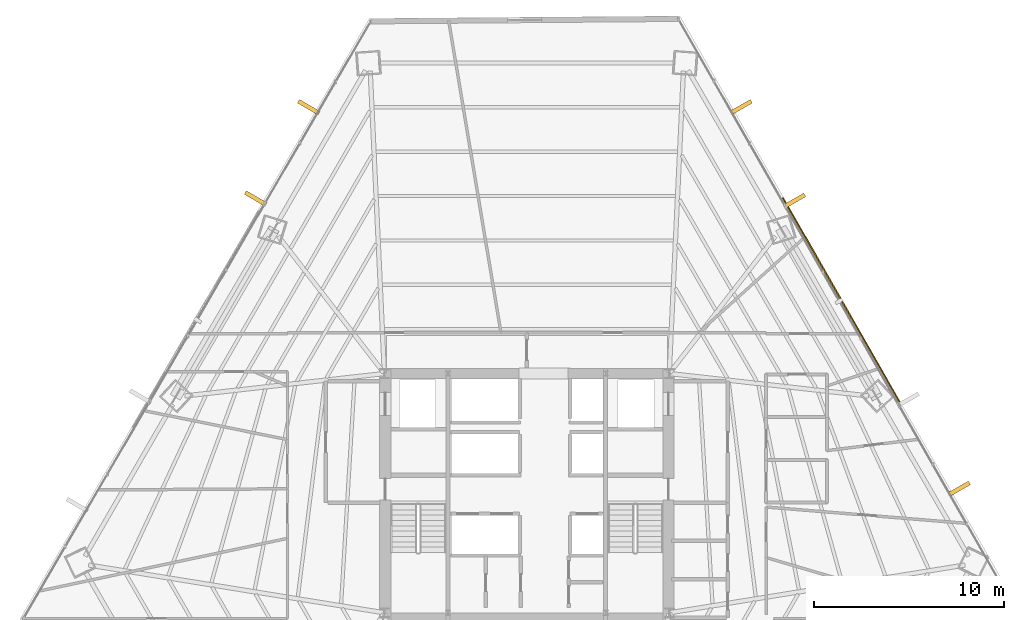
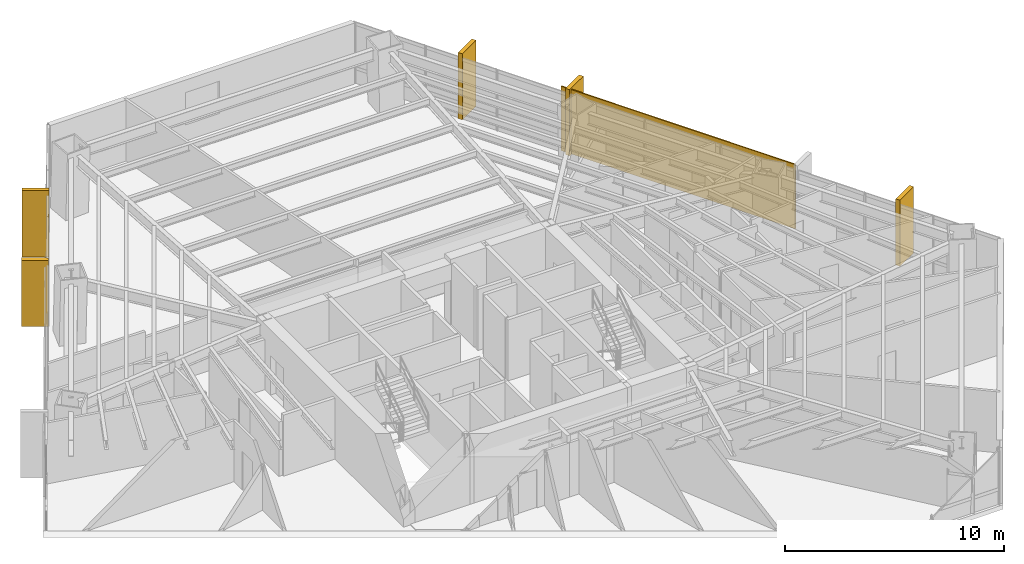
# One storey, part 38 of 38: 5 coverings, 1 shading device.
"""IFC4 building model written with IfcOpenShell, lengths in metres."""

from ifc_helpers import new_model, si_unit, direction, frame, origin, origin_2d, place, context, subcontext, project, spatial, rectangle, extrude, source, transform, mapped, material, layer, layer_set, type_object, type_shapes, element, save


model = new_model("IFC4")

# Units and contexts
model_context = context("Model", 3, precision=1e-05, world=origin(), true_north=direction((0.0, 1.0)))
body_context = subcontext(model_context, "Body", "Model", "MODEL_VIEW")
ifc_project = project(units=[si_unit("LENGTHUNIT", "METRE"), si_unit("AREAUNIT", "SQUARE_METRE"), si_unit("VOLUMEUNIT", "CUBIC_METRE"), si_unit("PLANEANGLEUNIT", "RADIAN"), si_unit("MASSUNIT", "GRAM", prefix="KILO")], contexts=[model_context])

# Site, building, storey
site_placement = place(None, origin())
site = spatial("IfcSite", under=ifc_project, at=site_placement, CompositionType="ELEMENT")
building_placement = place(site_placement, origin())
building = spatial("IfcBuilding", under=site, at=building_placement, Name="Caelisora Broadcast Tower", CompositionType="ELEMENT")
storey_placement = place(building_placement, frame((0.0, 0.0, 67.75)))
storey = spatial("IfcBuildingStorey", under=building, at=storey_placement, Name="L17", CompositionType="ELEMENT", Elevation=67.75)

# Coverings
ifc_material_1 = material(Name="Kiln-Fired Terracotta Spandrel Rainscreen Cladding", Category="ceramic")
ifc_layer_1 = layer(ifc_material_1, 0.044921875, Name="Kiln-Fired Terracotta Spandrel Rainscreen Cladding")
ifc_layer_set_1 = layer_set([ifc_layer_1], Name="Kiln-Fired Terracotta Spandrel Rainscreen Cladding")
covering_type = type_object("IfcCoveringType", Name="CL-1", PredefinedType="CLADDING", material=ifc_layer_set_1)
shared_shape_1 = source(origin(), body_context, "Body", "SweptSolid", [
    extrude(rectangle(XDim=0.219970703125, YDim=1.25, at=origin_2d()), origin(), (0.0, 0.0, 1.0), 3.68994140625),
])
type_shapes(covering_type, [shared_shape_1])
for number, where, z_axis, x_axis, name in (
    (1, (49.280517578125, 44.025390625, -0.02001953125), (0.0, 0.0, 1.0), (0.495913414893, -0.868371973828, 0.0), "L17 vertical solar fin cladding #1-1"),
    (2, (52.095458984375, 39.0966796875, -0.02001953125), (0.0, 0.0, 1.0), (0.495913414893, -0.868371973828, 0.0), "L17 vertical solar fin cladding #1-2"),
    (3, (60.759521484375, 23.928466796875, -0.02001953125), (0.0, 0.0, 1.0), (0.495913414893, -0.868371973828, 0.0), "L17 vertical solar fin cladding #1-4"),
    (4, (23.718017578125, 39.2177734375, -0.02001953125), (0.0, 0.0, 1.0), (0.50286909456, 0.864362582332, 0.0), "L17 vertical solar fin cladding #3-3"),
    (5, (26.51416015625, 44.023193359375, -0.02001953125), (0.0, 0.0, 1.0), (0.50286909456, 0.864362582332, 0.0), "L17 vertical solar fin cladding #3-4"),
):
    element("IfcCovering", number, at=place(storey_placement, frame(where, z_axis=z_axis, x_axis=x_axis)), inside=storey, type_object=covering_type, Name=name, PredefinedType="CLADDING", context=body_context, shape_type="MappedRepresentation", body=[
        mapped(shared_shape_1, transform((0.0, 0.0, 0.0), scale=1.0)),
    ])

# Shading device
ifc_material_2 = material(Name="Perforated Glazed Terracotta Baguette Solar Screen", Category="ceramic")
ifc_layer_2 = layer(ifc_material_2, 0.06494140625, Name="Perforated Glazed Terracotta Baguette Solar Screen")
ifc_layer_set_2 = layer_set([ifc_layer_2], Name="Perforated Glazed Terracotta Baguette Solar Screen")
shading_device_type = type_object("IfcShadingDeviceType", Name="SS-1", PredefinedType="USERDEFINED", material=ifc_layer_set_2)
shared_shape_2 = source(origin(), body_context, "Body", "SweptSolid", [
    extrude(rectangle(XDim=12.383056640625, YDim=0.06494140625, at=origin_2d()), origin(), (0.0, 0.0, 1.0), 3.590087890625),
])
type_shapes(shading_device_type, [shared_shape_2])
shading_device_placement = place(storey_placement, frame((54.561279296875, 33.872802734375, 0.0), z_axis=(0.0, 0.0, 1.0), x_axis=(-0.495913414893, 0.868371973828, 0.0)))
element("IfcShadingDevice", 6, at=shading_device_placement, inside=storey, type_object=shading_device_type, Name="L17 perforated terracotta solar screen #3", ObjectType="SOLAR SCREEN", PredefinedType="USERDEFINED", context=body_context, shape_type="MappedRepresentation", body=[
    mapped(shared_shape_2, transform((0.0, 0.0, 0.0), scale=1.0)),
])

save(model, "model.ifc")
